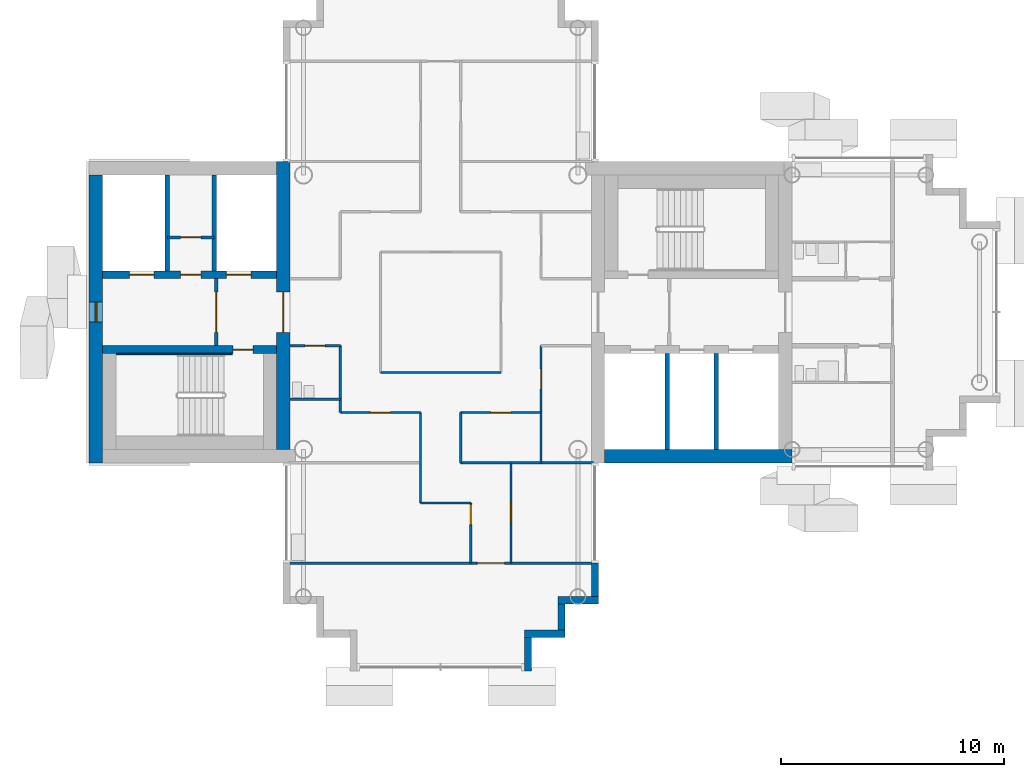
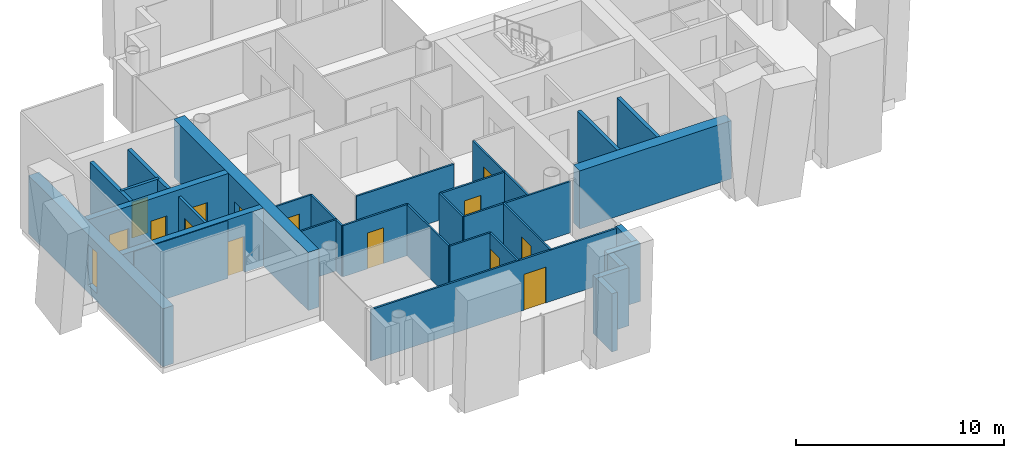
# One storey, part 6 of 18: 31 walls, 14 doors, 1 window, 15 openings.
"""IFC4 building model written with IfcOpenShell, lengths in metres."""

from ifc_helpers import new_model, si_unit, direction, frame, frame_2d, origin, place, context, subcontext, project, spatial, rectangle, extrude, material, layer, layer_set, type_object, element, fill, save


model = new_model("IFC4")

# Units and contexts
model_context = context("Model", 3, precision=1e-05, world=origin(), true_north=direction((0.0, 1.0)))
body_context = subcontext(model_context, "Body", "Model", "MODEL_VIEW")
ifc_project = project(units=[si_unit("LENGTHUNIT", "METRE"), si_unit("AREAUNIT", "SQUARE_METRE"), si_unit("VOLUMEUNIT", "CUBIC_METRE"), si_unit("PLANEANGLEUNIT", "RADIAN"), si_unit("MASSUNIT", "GRAM", prefix="KILO")], contexts=[model_context])

# Site, building, storey
site_placement = place(None, origin())
site = spatial("IfcSite", under=ifc_project, at=site_placement, CompositionType="ELEMENT")
building_placement = place(site_placement, origin())
building = spatial("IfcBuilding", under=site, at=building_placement, Name="Ipe Terrace Towers", CompositionType="ELEMENT")
storey_placement = place(building_placement, frame((0.0, 0.0, 209.60009765625)))
storey = spatial("IfcBuildingStorey", under=building, at=storey_placement, Name="L58", CompositionType="ELEMENT", Elevation=209.60009765625)

# Walls
ifc_material_1 = material(Name="Concrete C40/50 with buff precast cladding", Category="concrete")
ifc_layer_1 = layer(ifc_material_1, 0.320068359375)
ifc_layer_set_1 = layer_set([ifc_layer_1], Name="BUFF CLADDING WALL 320")
wall_type_1 = type_object("IfcWallType", Name="BUFF CLADDING WALL 320", PredefinedType="STANDARD", material=ifc_layer_set_1)
wall_1_placement = place(storey_placement, frame((-32.090087890625, -16.070068359375, -0.300048828125), z_axis=(0.0, 0.0, 1.0), x_axis=(0.0, 1.0, 0.0)))
element("IfcWall", 1, at=wall_1_placement, inside=storey, type_object=wall_type_1, Name="T1-W-L58-09a wall", PredefinedType="STANDARD", context=body_context, shape_type="SweptSolid", body=[
    extrude(rectangle(XDim=1.5, YDim=0.320068359375, at=frame_2d((0.75, 0.0))), origin(), (0.0, 0.0, 1.0), 3.39990234375),
])
wall_2_placement = place(storey_placement, frame((-32.25, -14.409912109375, -0.300048828125), z_axis=(0.0, 0.0, 1.0), x_axis=(1.0, 0.0, 0.0)))
element("IfcWall", 2, at=wall_2_placement, inside=storey, type_object=wall_type_1, Name="T1-W-L58-10a wall", PredefinedType="STANDARD", context=body_context, shape_type="SweptSolid", body=[
    extrude(rectangle(XDim=1.820068359375, YDim=0.320068359375, at=frame_2d((0.91015625, 0.0))), origin(), (0.0, 0.0, 1.0), 3.39990234375),
])
wall_3_placement = place(storey_placement, frame((-30.590087890625, -14.25, -0.300048828125), z_axis=(0.0, 0.0, 1.0), x_axis=(0.0, 1.0, 0.0)))
element("IfcWall", 3, at=wall_3_placement, inside=storey, type_object=wall_type_1, Name="T1-W-L58-11a wall", PredefinedType="STANDARD", context=body_context, shape_type="SweptSolid", body=[
    extrude(rectangle(XDim=1.179931640625, YDim=0.320068359375, at=frame_2d((0.58984375, 0.0))), origin(), (0.0, 0.0, 1.0), 3.39990234375),
])
wall_4_placement = place(storey_placement, frame((-30.75, -12.909912109375, -0.300048828125), z_axis=(0.0, 0.0, 1.0), x_axis=(1.0, 0.0, 0.0)))
element("IfcWall", 4, at=wall_4_placement, inside=storey, type_object=wall_type_1, Name="T1-W-L58-12a wall", PredefinedType="STANDARD", context=body_context, shape_type="SweptSolid", body=[
    extrude(rectangle(XDim=1.820068359375, YDim=0.320068359375, at=frame_2d((0.91015625, 0.0))), origin(), (0.0, 0.0, 1.0), 3.39990234375),
])
wall_5_placement = place(storey_placement, frame((-29.090087890625, -12.75, -0.300048828125), z_axis=(0.0, 0.0, 1.0), x_axis=(0.0, 1.0, 0.0)))
element("IfcWall", 5, at=wall_5_placement, inside=storey, type_object=wall_type_1, Name="T1-W-L58-13a wall", PredefinedType="STANDARD", context=body_context, shape_type="SweptSolid", body=[
    extrude(rectangle(XDim=1.5, YDim=0.320068359375, at=frame_2d((0.75, 0.0))), origin(), (0.0, 0.0, 1.0), 3.39990234375),
])
ifc_material_2 = material(Name="Gypsum board partition", Category="plasterboard")
ifc_layer_2 = layer(ifc_material_2, 0.10009765625)
ifc_layer_set_2 = layer_set([ifc_layer_2], Name="Gypsum board partition 100 mm")
wall_type_2 = type_object("IfcWallType", Name="Gypsum board partition 100 mm", PredefinedType="PARTITIONING", material=ifc_layer_set_2)
wall_6_placement = place(storey_placement, frame((-40.5, -4.5, 0.0), z_axis=(0.0, 0.0, 1.0), x_axis=(0.0, 1.0, 0.0)))
element("IfcWall", 6, at=wall_6_placement, inside=storey, type_object=wall_type_2, Name="Gypsum board partition T1 L58 W01", PredefinedType="PARTITIONING", context=body_context, shape_type="SweptSolid", body=[
    extrude(rectangle(XDim=3.0, YDim=0.10009765625, at=frame_2d((1.5, 0.0))), origin(), (0.0, 0.0, 1.0), 3.0),
])
wall_7_placement = place(storey_placement, frame((-36.89990234375, -8.550048828125, 0.0), z_axis=(0.0, 0.0, 1.0), x_axis=(0.0, 1.0, 0.0)))
element("IfcWall", 7, at=wall_7_placement, inside=storey, type_object=wall_type_2, Name="Gypsum board partition T1 L58 W04", PredefinedType="PARTITIONING", context=body_context, shape_type="SweptSolid", body=[
    extrude(rectangle(XDim=4.050048828125, YDim=0.10009765625, at=frame_2d((2.02490234375, 0.0))), origin(), (0.0, 0.0, 1.0), 3.0),
])
wall_8_placement = place(storey_placement, frame((-35.10009765625, -6.75, 0.0), z_axis=(0.0, 0.0, 1.0), x_axis=(0.0, 1.0, 0.0)))
element("IfcWall", 8, at=wall_8_placement, inside=storey, type_object=wall_type_2, Name="Gypsum board partition T1 L58 W06", PredefinedType="PARTITIONING", context=body_context, shape_type="SweptSolid", body=[
    extrude(rectangle(XDim=2.25, YDim=0.10009765625, at=frame_2d((1.125, 0.0))), origin(), (0.0, 0.0, 1.0), 3.0),
])

# Wall, opening, door
wall_9_placement = place(storey_placement, frame((-34.64990234375, -11.25, 0.0), z_axis=(0.0, 0.0, 1.0), x_axis=(0.0, 1.0, 0.0)))
wall_9 = element("IfcWall", 9, at=wall_9_placement, inside=storey, type_object=wall_type_2, Name="Gypsum board partition T1 L58 W08", PredefinedType="PARTITIONING", context=body_context, shape_type="SweptSolid", body=[
    extrude(rectangle(XDim=2.699951171875, YDim=0.10009765625, at=frame_2d((1.35009765625, 0.0))), origin(), (0.0, 0.0, 1.0), 3.0),
])
opening_1_placement = place(wall_9_placement, frame((1.72998046875, 0.0, 0.0)))
opening_1 = element("IfcOpeningElement", 10, at=opening_1_placement, cuts=wall_9, Name="Opening T1-Z4E-14", PredefinedType="OPENING", context=body_context, shape_type="SweptSolid", body=[
    extrude(rectangle(XDim=0.89990234375, YDim=2.10009765625, at=frame_2d((0.449951171875, 1.050048828125))), frame((0.0, 0.06005859375, 0.0), z_axis=(0.0, -1.0, 0.0), x_axis=(1.0, 0.0, 0.0)), (0.0, 0.0, 1.0), 0.1201171875),
])
ifc_material_3 = material(Name="Timber door leaf", Category="wood")
door_type_1 = type_object("IfcDoorType", Name="Lounge door 900 x 2100", OperationType="NOTDEFINED", PredefinedType="DOOR", material=ifc_material_3)
door_1_placement = place(opening_1_placement, origin())
door_1 = element("IfcDoor", 11, at=door_1_placement, inside=storey, type_object=door_type_1, Name="Lounge door T1-Z4E-14", OperationType="SINGLE_SWING_LEFT", OverallHeight=2.10009765625, OverallWidth=0.89990234375, PredefinedType="DOOR", context=body_context, shape_type="SweptSolid", body=[
    extrude(rectangle(XDim=0.89990234375, YDim=2.10009765625, at=frame_2d((0.449951171875, 1.050048828125))), frame((0.0, 0.02490234375, 0.0), z_axis=(0.0, -1.0, 0.0), x_axis=(1.0, 0.0, 0.0)), (0.0, 0.0, 1.0), 0.050048828125),
])
fill(opening_1, door_1)

wall_10_placement = place(storey_placement, frame((-32.85009765625, -11.25, 0.0), z_axis=(0.0, 0.0, 1.0), x_axis=(0.0, 1.0, 0.0)))
wall_10 = element("IfcWall", 12, at=wall_10_placement, inside=storey, type_object=wall_type_2, Name="Gypsum board partition T1 L58 W10", PredefinedType="PARTITIONING", context=body_context, shape_type="SweptSolid", body=[
    extrude(rectangle(XDim=4.5, YDim=0.10009765625, at=frame_2d((2.25, 0.0))), origin(), (0.0, 0.0, 1.0), 3.0),
])
opening_2_placement = place(wall_10_placement, frame((1.800048828125, 0.0, 0.0)))
opening_2 = element("IfcOpeningElement", 13, at=opening_2_placement, cuts=wall_10, Name="Opening T1-Z4E-13", PredefinedType="OPENING", context=body_context, shape_type="SweptSolid", body=[
    extrude(rectangle(XDim=0.89990234375, YDim=2.10009765625, at=frame_2d((0.449951171875, 1.050048828125))), frame((0.0, 0.06005859375, 0.0), z_axis=(0.0, -1.0, 0.0), x_axis=(1.0, 0.0, 0.0)), (0.0, 0.0, 1.0), 0.1201171875),
])
door_2_placement = place(opening_2_placement, origin())
door_2 = element("IfcDoor", 14, at=door_2_placement, inside=storey, type_object=door_type_1, Name="Lounge door T1-Z4E-13", OperationType="SINGLE_SWING_RIGHT", OverallHeight=2.10009765625, OverallWidth=0.89990234375, PredefinedType="DOOR", context=body_context, shape_type="SweptSolid", body=[
    extrude(rectangle(XDim=0.89990234375, YDim=2.10009765625, at=frame_2d((0.449951171875, 1.050048828125))), frame((0.0, 0.02490234375, 0.0), z_axis=(0.0, -1.0, 0.0), x_axis=(1.0, 0.0, 0.0)), (0.0, 0.0, 1.0), 0.050048828125),
])
fill(opening_2, door_2)

wall_11_placement = place(storey_placement, frame((-31.5, -6.75, 0.0), z_axis=(0.0, 0.0, 1.0), x_axis=(0.0, 1.0, 0.0)))
wall_11 = element("IfcWall", 15, at=wall_11_placement, inside=storey, type_object=wall_type_2, Name="Gypsum board partition T1 L58 W11", PredefinedType="PARTITIONING", context=body_context, shape_type="SweptSolid", body=[
    extrude(rectangle(XDim=5.25, YDim=0.10009765625, at=frame_2d((2.625, 0.0))), origin(), (0.0, 0.0, 1.0), 3.0),
])
opening_3_placement = place(wall_11_placement, frame((3.300048828125, 0.0, 0.0)))
opening_3 = element("IfcOpeningElement", 16, at=opening_3_placement, cuts=wall_11, Name="Opening T1-Z4E-09", PredefinedType="OPENING", context=body_context, shape_type="SweptSolid", body=[
    extrude(rectangle(XDim=0.89990234375, YDim=2.10009765625, at=frame_2d((0.449951171875, 1.050048828125))), frame((0.0, 0.06005859375, 0.0), z_axis=(0.0, -1.0, 0.0), x_axis=(1.0, 0.0, 0.0)), (0.0, 0.0, 1.0), 0.1201171875),
])
door_3_placement = place(opening_3_placement, origin())
door_3 = element("IfcDoor", 17, at=door_3_placement, inside=storey, type_object=door_type_1, Name="Lounge door T1-Z4E-09", OperationType="SINGLE_SWING_RIGHT", OverallHeight=2.10009765625, OverallWidth=0.89990234375, PredefinedType="DOOR", context=body_context, shape_type="SweptSolid", body=[
    extrude(rectangle(XDim=0.89990234375, YDim=2.10009765625, at=frame_2d((0.449951171875, 1.050048828125))), frame((0.0, 0.02490234375, 0.0), z_axis=(0.0, -1.0, 0.0), x_axis=(1.0, 0.0, 0.0)), (0.0, 0.0, 1.0), 0.050048828125),
])
fill(opening_3, door_3)

wall_12_placement = place(storey_placement, frame((-42.85009765625, -11.25, 0.0), z_axis=(0.0, 0.0, 1.0), x_axis=(1.0, 0.0, 0.0)))
wall_12 = element("IfcWall", 18, at=wall_12_placement, inside=storey, type_object=wall_type_2, Name="Gypsum board partition T1 L58 W18", PredefinedType="PARTITIONING", context=body_context, shape_type="SweptSolid", body=[
    extrude(rectangle(XDim=13.7001953125, YDim=0.10009765625, at=frame_2d((6.85009765625, 0.0))), origin(), (0.0, 0.0, 1.0), 3.0),
])
opening_4_placement = place(wall_12_placement, frame((8.5, 0.0, 0.0)))
opening_4 = element("IfcOpeningElement", 19, at=opening_4_placement, cuts=wall_12, Name="Opening T1-Z4E-15", PredefinedType="OPENING", context=body_context, shape_type="SweptSolid", body=[
    extrude(rectangle(XDim=1.199951171875, YDim=2.10009765625, at=frame_2d((0.60009765625, 1.050048828125))), frame((0.0, 0.06005859375, 0.0), z_axis=(0.0, -1.0, 0.0), x_axis=(1.0, 0.0, 0.0)), (0.0, 0.0, 1.0), 0.1201171875),
])
ifc_material_4 = material(Name="Timber door leaf", Category="wood")
door_type_2 = type_object("IfcDoorType", Name="Lounge door 1200 x 2100", OperationType="NOTDEFINED", PredefinedType="DOOR", material=ifc_material_4)
door_4_placement = place(opening_4_placement, origin())
door_4 = element("IfcDoor", 20, at=door_4_placement, inside=storey, type_object=door_type_2, Name="Lounge door T1-Z4E-15", OperationType="SINGLE_SWING_RIGHT", OverallHeight=2.10009765625, OverallWidth=1.199951171875, PredefinedType="DOOR", context=body_context, shape_type="SweptSolid", body=[
    extrude(rectangle(XDim=1.199951171875, YDim=2.10009765625, at=frame_2d((0.60009765625, 1.050048828125))), frame((0.0, 0.02490234375, 0.0), z_axis=(0.0, -1.0, 0.0), x_axis=(1.0, 0.0, 0.0)), (0.0, 0.0, 1.0), 0.050048828125),
])
fill(opening_4, door_4)

# Walls
wall_13_placement = place(storey_placement, frame((-36.89990234375, -8.550048828125, 0.0), z_axis=(0.0, 0.0, 1.0), x_axis=(1.0, 0.0, 0.0)))
element("IfcWall", 21, at=wall_13_placement, inside=storey, type_object=wall_type_2, Name="Gypsum board partition T1 L58 W19", PredefinedType="PARTITIONING", context=body_context, shape_type="SweptSolid", body=[
    extrude(rectangle(XDim=2.25, YDim=0.10009765625, at=frame_2d((1.125, 0.0))), origin(), (0.0, 0.0, 1.0), 3.0),
])
wall_14_placement = place(storey_placement, frame((-35.10009765625, -6.75, 0.0), z_axis=(0.0, 0.0, 1.0), x_axis=(1.0, 0.0, 0.0)))
element("IfcWall", 22, at=wall_14_placement, inside=storey, type_object=wall_type_2, Name="Gypsum board partition T1 L58 W21", PredefinedType="PARTITIONING", context=body_context, shape_type="SweptSolid", body=[
    extrude(rectangle(XDim=5.9501953125, YDim=0.10009765625, at=frame_2d((2.97509765625, 0.0))), origin(), (0.0, 0.0, 1.0), 3.0),
])

# Wall, opening, door
wall_15_placement = place(storey_placement, frame((-40.5, -4.5, 0.0), z_axis=(0.0, 0.0, 1.0), x_axis=(1.0, 0.0, 0.0)))
wall_15 = element("IfcWall", 23, at=wall_15_placement, inside=storey, type_object=wall_type_2, Name="Gypsum board partition T1 L58 W22", PredefinedType="PARTITIONING", context=body_context, shape_type="SweptSolid", body=[
    extrude(rectangle(XDim=3.60009765625, YDim=0.10009765625, at=frame_2d((1.800048828125, 0.0))), origin(), (0.0, 0.0, 1.0), 3.0),
])
opening_5_placement = place(wall_15_placement, frame((1.35009765625, 0.0, 0.0)))
opening_5 = element("IfcOpeningElement", 24, at=opening_5_placement, cuts=wall_15, Name="Opening T1-Z4E-07", PredefinedType="OPENING", context=body_context, shape_type="SweptSolid", body=[
    extrude(rectangle(XDim=0.89990234375, YDim=2.10009765625, at=frame_2d((0.449951171875, 1.050048828125))), frame((0.0, 0.06005859375, 0.0), z_axis=(0.0, -1.0, 0.0), x_axis=(1.0, 0.0, 0.0)), (0.0, 0.0, 1.0), 0.1201171875),
])
door_5_placement = place(opening_5_placement, origin())
door_5 = element("IfcDoor", 25, at=door_5_placement, inside=storey, type_object=door_type_1, Name="Lounge door T1-Z4E-07", OperationType="SINGLE_SWING_LEFT", OverallHeight=2.10009765625, OverallWidth=0.89990234375, PredefinedType="DOOR", context=body_context, shape_type="SweptSolid", body=[
    extrude(rectangle(XDim=0.89990234375, YDim=2.10009765625, at=frame_2d((0.449951171875, 1.050048828125))), frame((0.0, 0.02490234375, 0.0), z_axis=(0.0, -1.0, 0.0), x_axis=(1.0, 0.0, 0.0)), (0.0, 0.0, 1.0), 0.050048828125),
])
fill(opening_5, door_5)

wall_16_placement = place(storey_placement, frame((-35.10009765625, -4.5, 0.0), z_axis=(0.0, 0.0, 1.0), x_axis=(1.0, 0.0, 0.0)))
wall_16 = element("IfcWall", 26, at=wall_16_placement, inside=storey, type_object=wall_type_2, Name="Gypsum board partition T1 L58 W23", PredefinedType="PARTITIONING", context=body_context, shape_type="SweptSolid", body=[
    extrude(rectangle(XDim=3.60009765625, YDim=0.10009765625, at=frame_2d((1.800048828125, 0.0))), origin(), (0.0, 0.0, 1.0), 3.0),
])
opening_6_placement = place(wall_16_placement, frame((1.35009765625, 0.0, 0.0)))
opening_6 = element("IfcOpeningElement", 27, at=opening_6_placement, cuts=wall_16, Name="Opening T1-Z4E-08", PredefinedType="OPENING", context=body_context, shape_type="SweptSolid", body=[
    extrude(rectangle(XDim=0.89990234375, YDim=2.10009765625, at=frame_2d((0.449951171875, 1.050048828125))), frame((0.0, 0.06005859375, 0.0), z_axis=(0.0, -1.0, 0.0), x_axis=(1.0, 0.0, 0.0)), (0.0, 0.0, 1.0), 0.1201171875),
])
door_6_placement = place(opening_6_placement, origin())
door_6 = element("IfcDoor", 28, at=door_6_placement, inside=storey, type_object=door_type_1, Name="Lounge door T1-Z4E-08", OperationType="SINGLE_SWING_RIGHT", OverallHeight=2.10009765625, OverallWidth=0.89990234375, PredefinedType="DOOR", context=body_context, shape_type="SweptSolid", body=[
    extrude(rectangle(XDim=0.89990234375, YDim=2.10009765625, at=frame_2d((0.449951171875, 1.050048828125))), frame((0.0, 0.02490234375, 0.0), z_axis=(0.0, -1.0, 0.0), x_axis=(1.0, 0.0, 0.0)), (0.0, 0.0, 1.0), 0.050048828125),
])
fill(opening_6, door_6)

# Walls
wall_17_placement = place(storey_placement, frame((-42.75, -3.89990234375, 0.0), z_axis=(0.0, 0.0, 1.0), x_axis=(1.0, 0.0, 0.0)))
element("IfcWall", 29, at=wall_17_placement, inside=storey, type_object=wall_type_2, Name="Gypsum board partition T1 L58 W24", PredefinedType="PARTITIONING", context=body_context, shape_type="SweptSolid", body=[
    extrude(rectangle(XDim=2.25, YDim=0.10009765625, at=frame_2d((1.125, 0.0))), origin(), (0.0, 0.0, 1.0), 3.0),
])
wall_18_placement = place(storey_placement, frame((-38.699951171875, -2.699951171875, 0.0), z_axis=(0.0, 0.0, 1.0), x_axis=(1.0, 0.0, 0.0)))
element("IfcWall", 30, at=wall_18_placement, inside=storey, type_object=wall_type_2, Name="Gypsum board partition T1 L58 W26", PredefinedType="PARTITIONING", context=body_context, shape_type="SweptSolid", body=[
    extrude(rectangle(XDim=5.39990234375, YDim=0.10009765625, at=frame_2d((2.699951171875, 0.0))), origin(), (0.0, 0.0, 1.0), 3.0),
])

# Wall, opening, door
wall_19_placement = place(storey_placement, frame((-42.75, -1.5, 0.0), z_axis=(0.0, 0.0, 1.0), x_axis=(1.0, 0.0, 0.0)))
wall_19 = element("IfcWall", 31, at=wall_19_placement, inside=storey, type_object=wall_type_2, Name="Gypsum board partition T1 L58 W27", PredefinedType="PARTITIONING", context=body_context, shape_type="SweptSolid", body=[
    extrude(rectangle(XDim=2.25, YDim=0.10009765625, at=frame_2d((1.125, 0.0))), origin(), (0.0, 0.0, 1.0), 3.0),
])
opening_7_placement = place(wall_19_placement, frame((0.675048828125, 0.0, 0.0)))
opening_7 = element("IfcOpeningElement", 32, at=opening_7_placement, cuts=wall_19, Name="Opening T1-Z4E-03", PredefinedType="OPENING", context=body_context, shape_type="SweptSolid", body=[
    extrude(rectangle(XDim=0.89990234375, YDim=2.10009765625, at=frame_2d((0.449951171875, 1.050048828125))), frame((0.0, 0.06005859375, 0.0), z_axis=(0.0, -1.0, 0.0), x_axis=(1.0, 0.0, 0.0)), (0.0, 0.0, 1.0), 0.1201171875),
])
ifc_material_5 = material(Name="Timber door leaf", Category="wood")
door_type_3 = type_object("IfcDoorType", Name="Bathroom door 900 x 2100", OperationType="NOTDEFINED", PredefinedType="DOOR", material=ifc_material_5)
door_7_placement = place(opening_7_placement, origin())
door_7 = element("IfcDoor", 33, at=door_7_placement, inside=storey, type_object=door_type_3, Name="Bathroom door T1-Z4E-03", OperationType="SINGLE_SWING_RIGHT", OverallHeight=2.10009765625, OverallWidth=0.89990234375, PredefinedType="DOOR", context=body_context, shape_type="SweptSolid", body=[
    extrude(rectangle(XDim=0.89990234375, YDim=2.10009765625, at=frame_2d((0.449951171875, 1.050048828125))), frame((0.0, 0.02490234375, 0.0), z_axis=(0.0, -1.0, 0.0), x_axis=(1.0, 0.0, 0.0)), (0.0, 0.0, 1.0), 0.050048828125),
])
fill(opening_7, door_7)

ifc_material_6 = material(Name="Gypsum board partition", Category="plasterboard")
ifc_layer_3 = layer(ifc_material_6, 0.14990234375)
ifc_layer_set_3 = layer_set([ifc_layer_3], Name="Gypsum board partition 150 mm")
wall_type_3 = type_object("IfcWallType", Name="Gypsum board partition 150 mm", PredefinedType="PARTITIONING", material=ifc_layer_set_3)
wall_20_placement = place(storey_placement, frame((-46.050048828125, 1.5, 0.0), z_axis=(0.0, 0.0, 1.0), x_axis=(0.0, -1.0, 0.0)))
wall_20 = element("IfcWall", 34, at=wall_20_placement, inside=storey, type_object=wall_type_3, Name="Gypsum board partition T1 L58 t1c2-lobby-wall", PredefinedType="PARTITIONING", context=body_context, shape_type="SweptSolid", body=[
    extrude(rectangle(XDim=3.0, YDim=0.14990234375, at=frame_2d((1.5, 0.0))), origin(), (0.0, 0.0, 1.0), 3.0),
])
opening_8_placement = place(wall_20_placement, frame((0.60009765625, 0.0, 0.0)))
opening_8 = element("IfcOpeningElement", 35, at=opening_8_placement, cuts=wall_20, Name="Opening T1C2-VD", PredefinedType="OPENING", context=body_context, shape_type="SweptSolid", body=[
    extrude(rectangle(XDim=1.800048828125, YDim=2.10009765625, at=frame_2d((0.89990234375, 1.050048828125))), frame((0.0, 0.0849609375, 0.0), z_axis=(0.0, -1.0, 0.0), x_axis=(1.0, 0.0, 0.0)), (0.0, 0.0, 1.0), 0.169921875),
])
ifc_material_7 = material(Name="Fire-rated timber door leaf", Category="wood")
door_type_4 = type_object("IfcDoorType", Name="Lobby door 1800 x 2100 FD60", OperationType="NOTDEFINED", PredefinedType="DOOR", material=ifc_material_7)
door_8_placement = place(opening_8_placement, origin())
door_8 = element("IfcDoor", 36, at=door_8_placement, inside=storey, type_object=door_type_4, Name="Lobby door T1C2-VD", OperationType="SINGLE_SWING_LEFT", OverallHeight=2.10009765625, OverallWidth=1.800048828125, PredefinedType="DOOR", context=body_context, shape_type="SweptSolid", body=[
    extrude(rectangle(XDim=1.800048828125, YDim=2.10009765625, at=frame_2d((0.89990234375, 1.050048828125))), frame((0.0, 0.02490234375, 0.0), z_axis=(0.0, -1.0, 0.0), x_axis=(1.0, 0.0, 0.0)), (0.0, 0.0, 1.0), 0.050048828125),
])
fill(opening_8, door_8)

wall_21_placement = place(storey_placement, frame((-46.14990234375, 3.35009765625, 0.0), z_axis=(0.0, 0.0, 1.0), x_axis=(-1.0, 0.0, 0.0)))
wall_21 = element("IfcWall", 37, at=wall_21_placement, inside=storey, type_object=wall_type_3, Name="Gypsum board partition T1 L58 t1c2-q-back", PredefinedType="PARTITIONING", context=body_context, shape_type="SweptSolid", body=[
    extrude(rectangle(XDim=2.10009765625, YDim=0.14990234375, at=frame_2d((1.050048828125, 0.0))), origin(), (0.0, 0.0, 1.0), 3.0),
])
opening_9_placement = place(wall_21_placement, frame((0.60009765625, 0.0, 0.0)))
opening_9 = element("IfcOpeningElement", 38, at=opening_9_placement, cuts=wall_21, Name="Opening T1C2-RB-FD30S", PredefinedType="OPENING", context=body_context, shape_type="SweptSolid", body=[
    extrude(rectangle(XDim=0.89990234375, YDim=2.10009765625, at=frame_2d((0.449951171875, 1.050048828125))), frame((0.0, 0.0849609375, 0.0), z_axis=(0.0, -1.0, 0.0), x_axis=(1.0, 0.0, 0.0)), (0.0, 0.0, 1.0), 0.169921875),
])
ifc_material_8 = material(Name="Fire-rated timber door leaf", Category="wood")
door_type_5 = type_object("IfcDoorType", Name="Service door 900 x 2100 FD30S", OperationType="NOTDEFINED", PredefinedType="DOOR", material=ifc_material_8)
door_9_placement = place(opening_9_placement, origin())
door_9 = element("IfcDoor", 39, at=door_9_placement, inside=storey, type_object=door_type_5, Name="Service door T1C2-RB-FD30S", OperationType="SINGLE_SWING_LEFT", OverallHeight=2.10009765625, OverallWidth=0.89990234375, PredefinedType="DOOR", context=body_context, shape_type="SweptSolid", body=[
    extrude(rectangle(XDim=0.89990234375, YDim=2.10009765625, at=frame_2d((0.449951171875, 1.050048828125))), frame((0.0, 0.02490234375, 0.0), z_axis=(0.0, -1.0, 0.0), x_axis=(1.0, 0.0, 0.0)), (0.0, 0.0, 1.0), 0.050048828125),
])
fill(opening_9, door_9)

# Walls
ifc_material_9 = material(Name="Gypsum board party wall", Category="plasterboard")
ifc_layer_4 = layer(ifc_material_9, 0.199951171875)
ifc_layer_set_4 = layer_set([ifc_layer_4], Name="Gypsum board party wall 200 mm")
wall_type_4 = type_object("IfcWallType", Name="Gypsum board party wall 200 mm", PredefinedType="SOLIDWALL", material=ifc_layer_set_4)
for number, where, z_axis, x_axis, name in (
    (40, (-25.85009765625, -6.14990234375, 0.0), (0.0, 0.0, 1.0), (0.0, 1.0, 0.0), "Gypsum board party wall T1 L58 t1c1-shaft-div1"),
    (41, (-23.64990234375, -6.14990234375, 0.0), (0.0, 0.0, 1.0), (0.0, 1.0, 0.0), "Gypsum board party wall T1 L58 t1c1-shaft-div2"),
    (42, (-48.25, 6.14990234375, 0.0), (0.0, 0.0, 1.0), (0.0, -1.0, 0.0), "Gypsum board party wall T1 L58 t1c2-shaft-div2"),
    (43, (-46.14990234375, 6.14990234375, 0.0), (0.0, 0.0, 1.0), (0.0, -1.0, 0.0), "Gypsum board party wall T1 L58 t1c2-shaft-div1"),
):
    element("IfcWall", number, at=place(storey_placement, frame(where, z_axis=z_axis, x_axis=x_axis)), inside=storey, type_object=wall_type_4, Name=name, PredefinedType="SOLIDWALL", context=body_context, shape_type="SweptSolid", body=[
        extrude(rectangle(XDim=4.2998046875, YDim=0.199951171875, at=frame_2d((2.14990234375, 0.0))), origin(), (0.0, 0.0, 1.0), 3.0),
    ])

# Wall, opening, door
ifc_material_10 = material(Name="Concrete C40/50", Category="concrete")
ifc_layer_5 = layer(ifc_material_10, 0.35009765625)
ifc_layer_set_5 = layer_set([ifc_layer_5], Name="RW350 CORE SPINE WALL 350 C40-50")
wall_type_5 = type_object("IfcWallType", Name="RW350 CORE SPINE WALL 350 C40-50", PredefinedType="SHEAR", material=ifc_layer_set_5)
wall_22_placement = place(storey_placement, frame((-51.14990234375, -1.675048828125, 0.0), z_axis=(0.0, 0.0, 1.0), x_axis=(1.0, 0.0, 0.0)))
wall_22 = element("IfcWall", 44, at=wall_22_placement, inside=storey, type_object=wall_type_5, Name="Core spine wall T1-C2-Z4-SW1", PredefinedType="SHEAR", context=body_context, shape_type="SweptSolid", body=[
    extrude(rectangle(XDim=7.7998046875, YDim=0.35009765625, at=frame_2d((3.89990234375, 0.0))), origin(), (0.0, 0.0, 1.0), 3.39990234375),
])
opening_10_placement = place(wall_22_placement, frame((5.85009765625, 0.0, 0.0)))
opening_10 = element("IfcOpeningElement", 45, at=opening_10_placement, cuts=wall_22, Name="Opening T1C2-SD", PredefinedType="OPENING", context=body_context, shape_type="SweptSolid", body=[
    extrude(rectangle(XDim=0.89990234375, YDim=2.10009765625, at=frame_2d((0.449951171875, 1.050048828125))), frame((0.0, 0.18505859375, 0.0), z_axis=(0.0, -1.0, 0.0), x_axis=(1.0, 0.0, 0.0)), (0.0, 0.0, 1.0), 0.3701171875),
])
ifc_material_11 = material(Name="Fire-rated timber door leaf", Category="wood")
door_type_6 = type_object("IfcDoorType", Name="Stair door 900 x 2100 FD60", OperationType="NOTDEFINED", PredefinedType="DOOR", material=ifc_material_11)
door_10_placement = place(opening_10_placement, origin())
door_10 = element("IfcDoor", 46, at=door_10_placement, inside=storey, type_object=door_type_6, Name="Stair door T1C2-SD", OperationType="SINGLE_SWING_RIGHT", OverallHeight=2.10009765625, OverallWidth=0.89990234375, PredefinedType="DOOR", context=body_context, shape_type="SweptSolid", body=[
    extrude(rectangle(XDim=0.89990234375, YDim=2.10009765625, at=frame_2d((0.449951171875, 1.050048828125))), frame((0.0, 0.02490234375, 0.0), z_axis=(0.0, -1.0, 0.0), x_axis=(1.0, 0.0, 0.0)), (0.0, 0.0, 1.0), 0.050048828125),
])
fill(opening_10, door_10)

# Wall, openings, doors
wall_23_placement = place(storey_placement, frame((-51.14990234375, 1.675048828125, 0.0), z_axis=(0.0, 0.0, 1.0), x_axis=(1.0, 0.0, 0.0)))
wall_23 = element("IfcWall", 47, at=wall_23_placement, inside=storey, type_object=wall_type_5, Name="Core spine wall T1-C2-Z4-SW2", PredefinedType="SHEAR", context=body_context, shape_type="SweptSolid", body=[
    extrude(rectangle(XDim=7.7998046875, YDim=0.35009765625, at=frame_2d((3.89990234375, 0.0))), origin(), (0.0, 0.0, 1.0), 3.39990234375),
])
opening_11_placement = place(wall_23_placement, frame((5.550048828125, 0.0, 0.0)))
opening_11 = element("IfcOpeningElement", 48, at=opening_11_placement, cuts=wall_23, Name="Opening T1C2-LD1", PredefinedType="OPENING", context=body_context, shape_type="SweptSolid", body=[
    extrude(rectangle(XDim=1.10009765625, YDim=2.10009765625, at=frame_2d((0.550048828125, 1.050048828125))), frame((0.0, 0.18505859375, 0.0), z_axis=(0.0, -1.0, 0.0), x_axis=(1.0, 0.0, 0.0)), (0.0, 0.0, 1.0), 0.3701171875),
])
opening_12_placement = place(wall_23_placement, frame((1.199951171875, 0.0, 0.0)))
opening_12 = element("IfcOpeningElement", 49, at=opening_12_placement, cuts=wall_23, Name="Opening T1C2-LD3", PredefinedType="OPENING", context=body_context, shape_type="SweptSolid", body=[
    extrude(rectangle(XDim=1.10009765625, YDim=2.10009765625, at=frame_2d((0.550048828125, 1.050048828125))), frame((0.0, 0.18505859375, 0.0), z_axis=(0.0, -1.0, 0.0), x_axis=(1.0, 0.0, 0.0)), (0.0, 0.0, 1.0), 0.3701171875),
])
opening_13_placement = place(wall_23_placement, frame((3.5, 0.0, 0.0)))
opening_13 = element("IfcOpeningElement", 50, at=opening_13_placement, cuts=wall_23, Name="Opening T1C2-R1-NR", PredefinedType="OPENING", context=body_context, shape_type="SweptSolid", body=[
    extrude(rectangle(XDim=0.89990234375, YDim=2.10009765625, at=frame_2d((0.449951171875, 1.050048828125))), frame((0.0, 0.18505859375, 0.0), z_axis=(0.0, -1.0, 0.0), x_axis=(1.0, 0.0, 0.0)), (0.0, 0.0, 1.0), 0.3701171875),
])
ifc_material_12 = material(Name="Fire-rated timber door leaf", Category="wood")
door_type_7 = type_object("IfcDoorType", Name="Sliding door 1100 x 2100 FD60", OperationType="SLIDING_TO_LEFT", PredefinedType="DOOR", material=ifc_material_12)
door_11_placement = place(opening_11_placement, origin())
door_11 = element("IfcDoor", 51, at=door_11_placement, inside=storey, type_object=door_type_7, Name="Sliding door T1C2-LD1", OperationType="SLIDING_TO_LEFT", OverallHeight=2.10009765625, OverallWidth=1.10009765625, PredefinedType="DOOR", context=body_context, shape_type="SweptSolid", body=[
    extrude(rectangle(XDim=1.10009765625, YDim=2.10009765625, at=frame_2d((0.550048828125, 1.050048828125))), frame((0.0, 0.02490234375, 0.0), z_axis=(0.0, -1.0, 0.0), x_axis=(1.0, 0.0, 0.0)), (0.0, 0.0, 1.0), 0.050048828125),
])
fill(opening_11, door_11)
door_12_placement = place(opening_12_placement, origin())
door_12 = element("IfcDoor", 52, at=door_12_placement, inside=storey, type_object=door_type_7, Name="Sliding door T1C2-LD3", OperationType="SLIDING_TO_LEFT", OverallHeight=2.10009765625, OverallWidth=1.10009765625, PredefinedType="DOOR", context=body_context, shape_type="SweptSolid", body=[
    extrude(rectangle(XDim=1.10009765625, YDim=2.10009765625, at=frame_2d((0.550048828125, 1.050048828125))), frame((0.0, 0.02490234375, 0.0), z_axis=(0.0, -1.0, 0.0), x_axis=(1.0, 0.0, 0.0)), (0.0, 0.0, 1.0), 0.050048828125),
])
fill(opening_12, door_12)
ifc_material_13 = material(Name="Timber door leaf", Category="wood")
door_type_8 = type_object("IfcDoorType", Name="Store door 900 x 2100", OperationType="NOTDEFINED", PredefinedType="DOOR", material=ifc_material_13)
door_13_placement = place(opening_13_placement, origin())
door_13 = element("IfcDoor", 53, at=door_13_placement, inside=storey, type_object=door_type_8, Name="Store door T1C2-R1-NR", OperationType="SINGLE_SWING_LEFT", OverallHeight=2.10009765625, OverallWidth=0.89990234375, PredefinedType="DOOR", context=body_context, shape_type="SweptSolid", body=[
    extrude(rectangle(XDim=0.89990234375, YDim=2.10009765625, at=frame_2d((0.449951171875, 1.050048828125))), frame((0.0, 0.02490234375, 0.0), z_axis=(0.0, -1.0, 0.0), x_axis=(1.0, 0.0, 0.0)), (0.0, 0.0, 1.0), 0.050048828125),
])
fill(opening_13, door_13)

# Walls
ifc_material_14 = material(Name="Concrete C40/50", Category="concrete")
ifc_layer_6 = layer(ifc_material_14, 0.050048828125)
ifc_layer_set_6 = layer_set([ifc_layer_6], Name="RW50 CORE INFILL WALL 50 C40-50")
wall_type_6 = type_object("IfcWallType", Name="RW50 CORE INFILL WALL 50 C40-50", PredefinedType="SHEAR", material=ifc_layer_set_6)
wall_24_placement = place(storey_placement, frame((-45.35009765625, -1.875, 0.0), z_axis=(0.0, 0.0, 1.0), x_axis=(-1.0, 0.0, 0.0)))
element("IfcWall", 54, at=wall_24_placement, inside=storey, type_object=wall_type_6, Name="Core infill wall T1-C2-spine-b", PredefinedType="SHEAR", context=body_context, shape_type="SweptSolid", body=[
    extrude(rectangle(XDim=5.199951171875, YDim=0.050048828125, at=frame_2d((2.60009765625, 0.0))), origin(), (0.0, 0.0, 1.0), 3.39990234375),
])
ifc_material_15 = material(Name="Concrete C40/50", Category="concrete")
ifc_layer_7 = layer(ifc_material_15, 0.60009765625)
ifc_layer_set_7 = layer_set([ifc_layer_7], Name="RW600 CORE WALL 600 C40-50")
wall_type_7 = type_object("IfcWallType", Name="RW600 CORE WALL 600 C40-50", PredefinedType="SHEAR", material=ifc_layer_set_7)
wall_25_placement = place(storey_placement, frame((-28.64990234375, -6.449951171875, 0.0), z_axis=(0.0, 0.0, 1.0), x_axis=(1.0, 0.0, 0.0)))
element("IfcWall", 55, at=wall_25_placement, inside=storey, type_object=wall_type_7, Name="Core wall T1-C1-Z4-W01", PredefinedType="SHEAR", context=body_context, shape_type="SweptSolid", body=[
    extrude(rectangle(XDim=8.39990234375, YDim=0.60009765625, at=frame_2d((4.199951171875, 0.0))), origin(), (0.0, 0.0, 1.0), 3.39990234375),
])

# Wall, opening, door
wall_26_placement = place(storey_placement, frame((-43.050048828125, -6.14990234375, 0.0), z_axis=(0.0, 0.0, 1.0), x_axis=(0.0, 1.0, 0.0)))
wall_26 = element("IfcWall", 56, at=wall_26_placement, inside=storey, type_object=wall_type_7, Name="Core wall T1-C2-Z4-W02", PredefinedType="SHEAR", context=body_context, shape_type="SweptSolid", body=[
    extrude(rectangle(XDim=12.89990234375, YDim=0.60009765625, at=frame_2d((6.449951171875, 0.0))), origin(), (0.0, 0.0, 1.0), 3.39990234375),
])
opening_14_placement = place(wall_26_placement, frame((5.25, 0.0, 0.0)))
opening_14 = element("IfcOpeningElement", 57, at=opening_14_placement, cuts=wall_26, Name="Opening T1C2-ND", PredefinedType="OPENING", context=body_context, shape_type="SweptSolid", body=[
    extrude(rectangle(XDim=1.800048828125, YDim=2.10009765625, at=frame_2d((0.89990234375, 1.050048828125))), frame((0.0, 0.31005859375, 0.0), z_axis=(0.0, -1.0, 0.0), x_axis=(1.0, 0.0, 0.0)), (0.0, 0.0, 1.0), 0.6201171875),
])
ifc_material_16 = material(Name="Fire-rated timber door leaf", Category="wood")
door_type_9 = type_object("IfcDoorType", Name="Fire door 1800 x 2100 FD30S", OperationType="NOTDEFINED", PredefinedType="DOOR", material=ifc_material_16)
door_14_placement = place(opening_14_placement, origin())
door_14 = element("IfcDoor", 58, at=door_14_placement, inside=storey, type_object=door_type_9, Name="Fire door T1C2-ND", OperationType="SINGLE_SWING_LEFT", OverallHeight=2.10009765625, OverallWidth=1.800048828125, PredefinedType="DOOR", context=body_context, shape_type="SweptSolid", body=[
    extrude(rectangle(XDim=1.800048828125, YDim=2.10009765625, at=frame_2d((0.89990234375, 1.050048828125))), frame((0.0, 0.02490234375, 0.0), z_axis=(0.0, -1.0, 0.0), x_axis=(1.0, 0.0, 0.0)), (0.0, 0.0, 1.0), 0.050048828125),
])
fill(opening_14, door_14)

# Wall, opening, window
wall_27_placement = place(storey_placement, frame((-51.449951171875, 6.14990234375, 0.0), z_axis=(0.0, 0.0, 1.0), x_axis=(0.0, -1.0, 0.0)))
wall_27 = element("IfcWall", 59, at=wall_27_placement, inside=storey, type_object=wall_type_7, Name="Core wall T1-C2-Z4-W04", PredefinedType="SHEAR", context=body_context, shape_type="SweptSolid", body=[
    extrude(rectangle(XDim=12.89990234375, YDim=0.60009765625, at=frame_2d((6.449951171875, 0.0))), origin(), (0.0, 0.0, 1.0), 3.39990234375),
])
opening_15_placement = place(wall_27_placement, frame((5.699951171875, 0.0, 0.449951171875)))
opening_15 = element("IfcOpeningElement", 60, at=opening_15_placement, cuts=wall_27, Name="Opening T1-C2-W-01-L58", PredefinedType="OPENING", context=body_context, shape_type="SweptSolid", body=[
    extrude(rectangle(XDim=0.89990234375, YDim=2.39990234375, at=frame_2d((0.449951171875, 1.199951171875))), frame((0.0, 0.31005859375, 0.0), z_axis=(0.0, -1.0, 0.0), x_axis=(1.0, 0.0, 0.0)), (0.0, 0.0, 1.0), 0.6201171875),
])
ifc_material_17 = material(Name="Fire-resistant glazing EI 60", Category="glass")
window_type = type_object("IfcWindowType", Name="CORRIDOR END SLOT WINDOW 900 x 2400 EI 60", PartitioningType="SINGLE_PANEL", PredefinedType="WINDOW", material=ifc_material_17)
window_placement = place(opening_15_placement, origin())
window = element("IfcWindow", 61, at=window_placement, inside=storey, type_object=window_type, Name="W-01 window", OverallHeight=2.39990234375, OverallWidth=0.89990234375, PartitioningType="SINGLE_PANEL", PredefinedType="WINDOW", context=body_context, shape_type="SweptSolid", body=[
    extrude(rectangle(XDim=0.89990234375, YDim=2.39990234375, at=frame_2d((0.449951171875, 1.199951171875))), frame((0.0, 0.030029296875, 0.0), z_axis=(0.0, -1.0, 0.0), x_axis=(1.0, 0.0, 0.0)), (0.0, 0.0, 1.0), 0.06005859375),
])
fill(opening_15, window)

save(model, "model.ifc")
